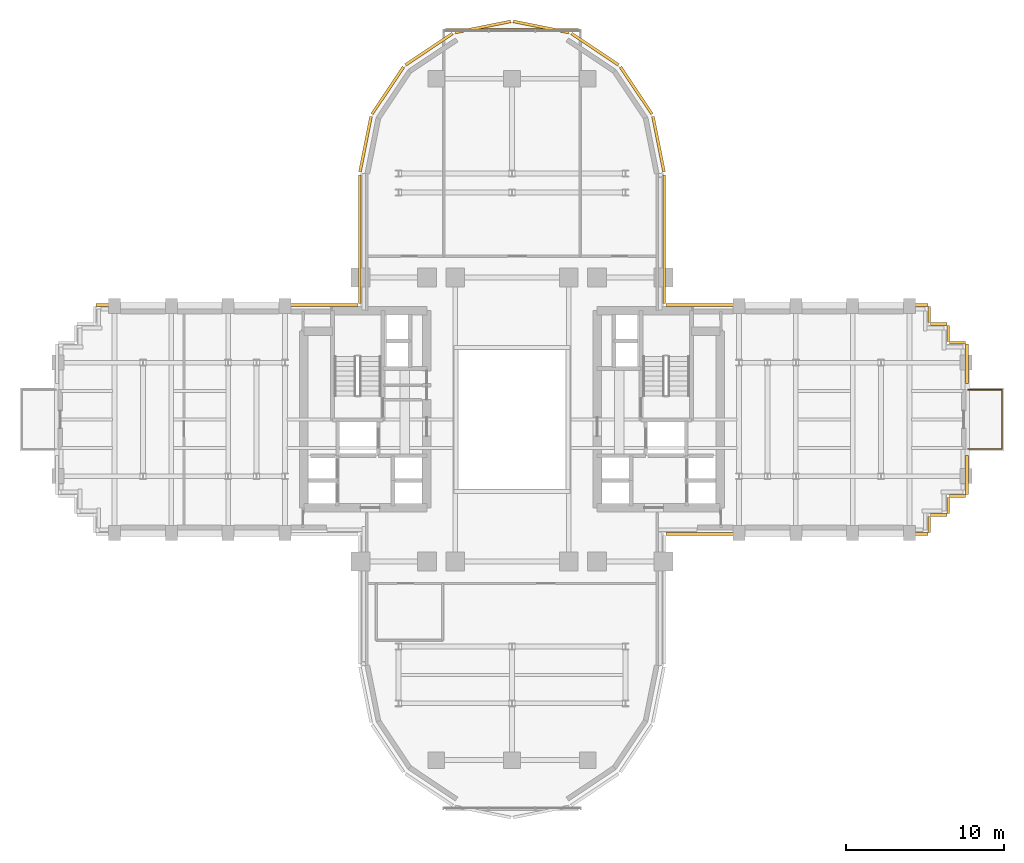
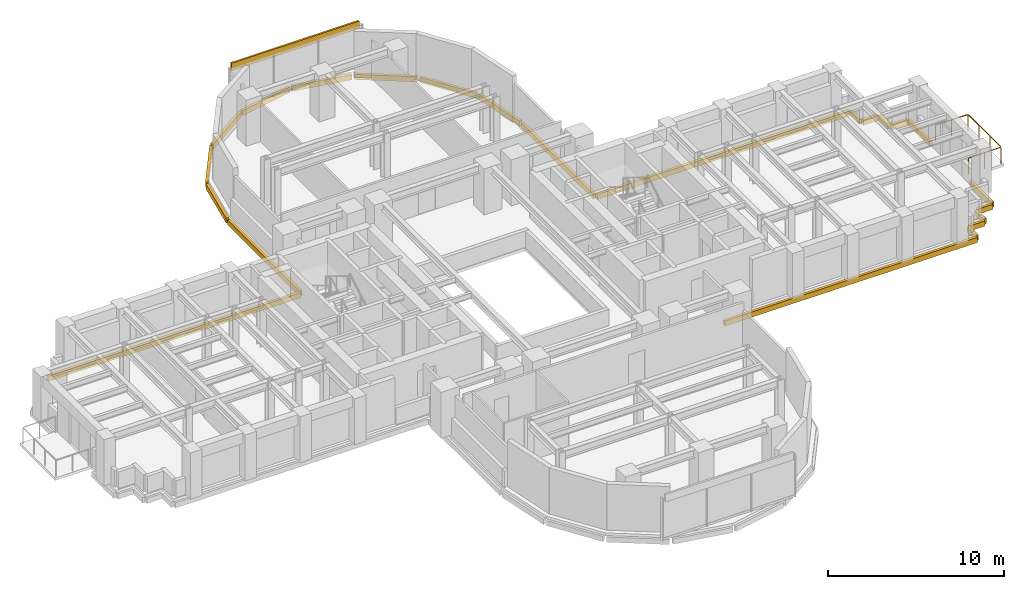
# One storey, part 14 of 14: 24 coverings, 1 railing.
"""IFC4 building model written with IfcOpenShell, lengths in metres."""

from ifc_helpers import new_model, si_unit, direction, frame, origin, origin_2d, place, context, subcontext, project, spatial, rectangle, extrude, source, transform, mapped, material, layer, layer_set, type_object, element, save


model = new_model("IFC4")

# Units and contexts
model_context = context("Model", 3, precision=1e-05, world=origin(), true_north=direction((0.0, 1.0)))
body_context = subcontext(model_context, "Body", "Model", "MODEL_VIEW")
ifc_project = project(units=[si_unit("LENGTHUNIT", "METRE"), si_unit("AREAUNIT", "SQUARE_METRE"), si_unit("VOLUMEUNIT", "CUBIC_METRE"), si_unit("PLANEANGLEUNIT", "RADIAN"), si_unit("MASSUNIT", "GRAM", prefix="KILO")], contexts=[model_context])

# Site, building, storey
site_placement = place(None, origin())
site = spatial("IfcSite", under=ifc_project, at=site_placement, CompositionType="ELEMENT")
building_placement = place(site_placement, origin())
building = spatial("IfcBuilding", under=site, at=building_placement, Name="Keilestroom Media Tower", CompositionType="ELEMENT")
storey_placement = place(building_placement, frame((0.0, 0.0, 44.199951171875)))
storey = spatial("IfcBuildingStorey", under=building, at=storey_placement, Name="L10", CompositionType="ELEMENT", Elevation=44.199951171875)

# Railing
ifc_material_1 = material(Name="Laminated Safety Glass & Stainless Steel", Category="steel")
railing_type = type_object("IfcRailingType", Name="Terrace-And-Atrium-Guard-Balustrade-GD-EXT", PredefinedType="BALUSTRADE", material=ifc_material_1)
railing_placement = place(storey_placement, frame((28.919921875, -1.8798828125, 0.0)))
element("IfcRailing", 1, at=railing_placement, inside=storey, type_object=railing_type, Name="L10 Terrace Perimeter Guard L10-E", PredefinedType="BALUSTRADE", context=body_context, shape_type="SweptSolid", body=[
    extrude(rectangle(XDim=0.048095703125, YDim=0.048095703125, at=origin_2d()), frame((0.0, 0.0, 1.1259765625), z_axis=(1.0, 0.0, 0.0), x_axis=(0.0, 1.0, 0.0)), (0.0, 0.0, 1.0), 2.112060546875),
    extrude(rectangle(XDim=0.048095703125, YDim=0.048095703125, at=origin_2d()), frame((2.16015625, 0.048095703125, 1.1259765625), z_axis=(0.0, 1.0, 0.0), x_axis=(-1.0, 0.0, 0.0)), (0.0, 0.0, 1.0), 3.66357421875),
    extrude(rectangle(XDim=0.048095703125, YDim=0.048095703125, at=origin_2d()), frame((2.112060546875, 3.759765625, 1.1259765625), z_axis=(-1.0, 0.0, 0.0), x_axis=(0.0, -1.0, 0.0)), (0.0, 0.0, 1.0), 2.112060546875),
    extrude(rectangle(XDim=0.0419921875, YDim=0.0419921875, at=origin_2d()), origin(), (0.0, 0.0, 1.0), 1.09375),
    extrude(rectangle(XDim=0.0419921875, YDim=0.0419921875, at=origin_2d()), frame((1.080078125, 0.0, 0.0)), (0.0, 0.0, 1.0), 1.09375),
    extrude(rectangle(XDim=0.0419921875, YDim=0.0419921875, at=origin_2d()), frame((2.16015625, 0.0, 0.0)), (0.0, 0.0, 1.0), 1.09375),
    extrude(rectangle(XDim=0.0419921875, YDim=0.0419921875, at=origin_2d()), frame((2.16015625, 1.253173828125, 0.0)), (0.0, 0.0, 1.0), 1.09375),
    extrude(rectangle(XDim=0.0419921875, YDim=0.0419921875, at=origin_2d()), frame((2.16015625, 2.506591796875, 0.0)), (0.0, 0.0, 1.0), 1.09375),
    extrude(rectangle(XDim=0.0419921875, YDim=0.0419921875, at=origin_2d()), frame((2.16015625, 3.759765625, 0.0)), (0.0, 0.0, 1.0), 1.09375),
    extrude(rectangle(XDim=0.0419921875, YDim=0.0419921875, at=origin_2d()), frame((1.080078125, 3.759765625, 0.0)), (0.0, 0.0, 1.0), 1.09375),
    extrude(rectangle(XDim=0.0419921875, YDim=0.0419921875, at=origin_2d()), frame((0.0, 3.759765625, 0.0)), (0.0, 0.0, 1.0), 1.09375),
])

# Coverings
ifc_material_2 = material(Name="Precast concrete C40/50", Category="concrete")
ifc_layer = layer(ifc_material_2, 0.1201171875)
ifc_layer_set = layer_set([ifc_layer], Name="Precast concrete C40/50")
covering_type = type_object("IfcCoveringType", Name="Exterior-Precast-Spandrel-Cladding-Panel-120", PredefinedType="CLADDING", material=ifc_layer_set)
shared_shape_1 = source(origin(), body_context, "Body", "SweptSolid", [
    extrude(rectangle(XDim=8.39990234375, YDim=0.1201171875, at=origin_2d()), origin(), (0.0, 0.0, 1.0), 0.52001953125),
])
covering_placement = place(storey_placement, frame((0.0, 24.719970703125, 2.68994140625), z_axis=(0.0, 0.0, 1.0), x_axis=(1.0, 0.0, 0.0)))
element("IfcCovering", 2, at=covering_placement, inside=storey, type_object=covering_type, Name="L10 Precast Spandrel Cladding N", PredefinedType="CLADDING", context=body_context, shape_type="MappedRepresentation", body=[
    mapped(shared_shape_1, transform((0.0, 0.0, 0.0), x_axis=(1.0, 0.0, 0.0), y_axis=(0.0, 1.0, 0.0), z_axis=(0.0, 0.0, 1.0), scale=1.0)),
])
shared_shape_2 = source(origin(), body_context, "Body", "SweptSolid", [
    extrude(rectangle(XDim=1.02001953125, YDim=0.179931640625, at=origin_2d()), origin(), (0.0, 0.0, 1.0), 0.360107421875),
])
for number, where, z_axis, x_axis, name in (
    (3, (28.260009765625, -4.860107421875, -0.5400390625), (0.0, 0.0, 1.0), (-1.0, 0.0, 0.0), "L10 Precast Slab-Edge Fascia Cornice 01"),
    (4, (27.659912109375, -5.4599609375, -0.5400390625), (0.0, 0.0, 1.0), (0.0, -1.0, 0.0), "L10 Precast Slab-Edge Fascia Cornice 02"),
    (5, (27.06005859375, -6.06005859375, -0.5400390625), (0.0, 0.0, 1.0), (-1.0, 0.0, 0.0), "L10 Precast Slab-Edge Fascia Cornice 03"),
    (6, (26.4599609375, -6.659912109375, -0.5400390625), (0.0, 0.0, 1.0), (0.0, -1.0, 0.0), "L10 Precast Slab-Edge Fascia Cornice 04"),
    (7, (26.4599609375, 6.659912109375, -0.5400390625), (0.0, 0.0, 1.0), (0.0, -1.0, 0.0), "L10 Precast Slab-Edge Fascia Cornice 39"),
    (8, (27.06005859375, 6.06005859375, -0.5400390625), (0.0, 0.0, 1.0), (1.0, 0.0, 0.0), "L10 Precast Slab-Edge Fascia Cornice 40"),
    (9, (27.659912109375, 5.4599609375, -0.5400390625), (0.0, 0.0, 1.0), (0.0, -1.0, 0.0), "L10 Precast Slab-Edge Fascia Cornice 41"),
    (10, (28.260009765625, 4.860107421875, -0.5400390625), (0.0, 0.0, 1.0), (1.0, 0.0, 0.0), "L10 Precast Slab-Edge Fascia Cornice 42"),
):
    element("IfcCovering", number, at=place(storey_placement, frame(where, z_axis=z_axis, x_axis=x_axis)), inside=storey, type_object=covering_type, Name=name, PredefinedType="CLADDING", context=body_context, shape_type="MappedRepresentation", body=[
        mapped(shared_shape_2, transform((0.0, 0.0, 0.0), x_axis=(1.0, 0.0, 0.0), y_axis=(0.0, 1.0, 0.0), z_axis=(0.0, 0.0, 1.0), scale=1.0)),
    ])
shared_shape_3 = source(origin(), body_context, "Body", "SweptSolid", [
    extrude(rectangle(XDim=16.6201171875, YDim=0.179931640625, at=origin_2d()), origin(), (0.0, 0.0, 1.0), 0.360107421875),
])
for number, where, z_axis, x_axis, name in (
    (11, (18.06005859375, -7.260009765625, -0.5400390625), (0.0, 0.0, 1.0), (-1.0, 0.0, 0.0), "L10 Precast Slab-Edge Fascia Cornice 05"),
    (12, (-18.06005859375, 7.260009765625, -0.5400390625), (0.0, 0.0, 1.0), (1.0, 0.0, 0.0), "L10 Precast Slab-Edge Fascia Cornice 27"),
    (13, (18.06005859375, 7.260009765625, -0.5400390625), (0.0, 0.0, 1.0), (1.0, 0.0, 0.0), "L10 Precast Slab-Edge Fascia Cornice 38"),
):
    element("IfcCovering", number, at=place(storey_placement, frame(where, z_axis=z_axis, x_axis=x_axis)), inside=storey, type_object=covering_type, Name=name, PredefinedType="CLADDING", context=body_context, shape_type="MappedRepresentation", body=[
        mapped(shared_shape_3, transform((0.0, 0.0, 0.0), x_axis=(1.0, 0.0, 0.0), y_axis=(0.0, 1.0, 0.0), z_axis=(0.0, 0.0, 1.0), scale=1.0)),
    ])
shared_shape_4 = source(origin(), body_context, "Body", "SweptSolid", [
    extrude(rectangle(XDim=8.166015625, YDim=0.179931640625, at=origin_2d()), origin(), (0.0, 0.0, 1.0), 0.360107421875),
])
for number, where, z_axis, x_axis, name in (
    (14, (-9.659912109375, 11.43310546875, -0.5400390625), (0.0, 0.0, 1.0), (0.0, 1.0, 0.0), "L10 Precast Slab-Edge Fascia Cornice 28"),
    (15, (9.659912109375, 11.43310546875, -0.5400390625), (0.0, 0.0, 1.0), (0.0, -1.0, 0.0), "L10 Precast Slab-Edge Fascia Cornice 37"),
):
    element("IfcCovering", number, at=place(storey_placement, frame(where, z_axis=z_axis, x_axis=x_axis)), inside=storey, type_object=covering_type, Name=name, PredefinedType="CLADDING", context=body_context, shape_type="MappedRepresentation", body=[
        mapped(shared_shape_4, transform((0.0, 0.0, 0.0), x_axis=(1.0, 0.0, 0.0), y_axis=(0.0, 1.0, 0.0), z_axis=(0.0, 0.0, 1.0), scale=1.0)),
    ])
shared_shape_5 = source(origin(), body_context, "Body", "SweptSolid", [
    extrude(rectangle(XDim=3.58349609375, YDim=0.179931640625, at=origin_2d()), origin(), (0.0, 0.0, 1.0), 0.360107421875),
])
for number, where, z_axis, x_axis, name in (
    (16, (-9.29296875, 17.45166015625, -0.5400390625), (0.0, 0.0, 1.0), (0.195098880975, 0.980783577882, 0.0), "L10 Precast Slab-Edge Fascia Cornice 29"),
    (17, (9.29296875, 17.45166015625, -0.5400390625), (0.0, 0.0, 1.0), (0.195098880975, -0.980783577882, 0.0), "L10 Precast Slab-Edge Fascia Cornice 36"),
):
    element("IfcCovering", number, at=place(storey_placement, frame(where, z_axis=z_axis, x_axis=x_axis)), inside=storey, type_object=covering_type, Name=name, PredefinedType="CLADDING", context=body_context, shape_type="MappedRepresentation", body=[
        mapped(shared_shape_5, transform((0.0, 0.0, 0.0), x_axis=(1.0, 0.0, 0.0), y_axis=(0.0, 1.0, 0.0), z_axis=(0.0, 0.0, 1.0), scale=1.0)),
    ])
shared_shape_6 = source(origin(), body_context, "Body", "SweptSolid", [
    extrude(rectangle(XDim=3.589599609375, YDim=0.179931640625, at=origin_2d()), origin(), (0.0, 0.0, 1.0), 0.360107421875),
])
for number, where, z_axis, x_axis, name in (
    (18, (-7.878662109375, 20.8642578125, -0.5400390625), (0.0, 0.0, 1.0), (0.555574586577, 0.831466703332, 0.0), "L10 Precast Slab-Edge Fascia Cornice 30"),
    (19, (-5.264404296875, 23.478515625, -0.5400390625), (0.0, 0.0, 1.0), (0.831466703332, 0.555574586577, 0.0), "L10 Precast Slab-Edge Fascia Cornice 31"),
    (20, (-1.8486328125, 24.893310546875, -0.5400390625), (0.0, 0.0, 1.0), (0.980783577882, 0.195098880975, 0.0), "L10 Precast Slab-Edge Fascia Cornice 32"),
    (21, (1.8486328125, 24.893310546875, -0.5400390625), (0.0, 0.0, 1.0), (0.980783577882, -0.195098880975, 0.0), "L10 Precast Slab-Edge Fascia Cornice 33"),
    (22, (5.264404296875, 23.478515625, -0.5400390625), (0.0, 0.0, 1.0), (0.831466703332, -0.555574586577, 0.0), "L10 Precast Slab-Edge Fascia Cornice 34"),
    (23, (7.878662109375, 20.8642578125, -0.5400390625), (0.0, 0.0, 1.0), (0.555574586577, -0.831466703332, 0.0), "L10 Precast Slab-Edge Fascia Cornice 35"),
):
    element("IfcCovering", number, at=place(storey_placement, frame(where, z_axis=z_axis, x_axis=x_axis)), inside=storey, type_object=covering_type, Name=name, PredefinedType="CLADDING", context=body_context, shape_type="MappedRepresentation", body=[
        mapped(shared_shape_6, transform((0.0, 0.0, 0.0), x_axis=(1.0, 0.0, 0.0), y_axis=(0.0, 1.0, 0.0), z_axis=(0.0, 0.0, 1.0), scale=1.0)),
    ])
shared_shape_7 = source(origin(), body_context, "Body", "SweptSolid", [
    extrude(rectangle(XDim=2.5, YDim=0.179931640625, at=origin_2d()), origin(), (0.0, 0.0, 1.0), 0.360107421875),
])
for number, where, z_axis, x_axis, name in (
    (24, (28.860107421875, 3.52001953125, -0.5400390625), (0.0, 0.0, 1.0), (0.0, -1.0, 0.0), "L10 Precast Slab-Edge Fascia Cornice 43"),
    (25, (28.860107421875, -3.52001953125, -0.5400390625), (0.0, 0.0, 1.0), (0.0, -1.0, 0.0), "L10 Precast Slab-Edge Fascia Cornice 44"),
):
    element("IfcCovering", number, at=place(storey_placement, frame(where, z_axis=z_axis, x_axis=x_axis)), inside=storey, type_object=covering_type, Name=name, PredefinedType="CLADDING", context=body_context, shape_type="MappedRepresentation", body=[
        mapped(shared_shape_7, transform((0.0, 0.0, 0.0), x_axis=(1.0, 0.0, 0.0), y_axis=(0.0, 1.0, 0.0), z_axis=(0.0, 0.0, 1.0), scale=1.0)),
    ])

save(model, "model.ifc")
